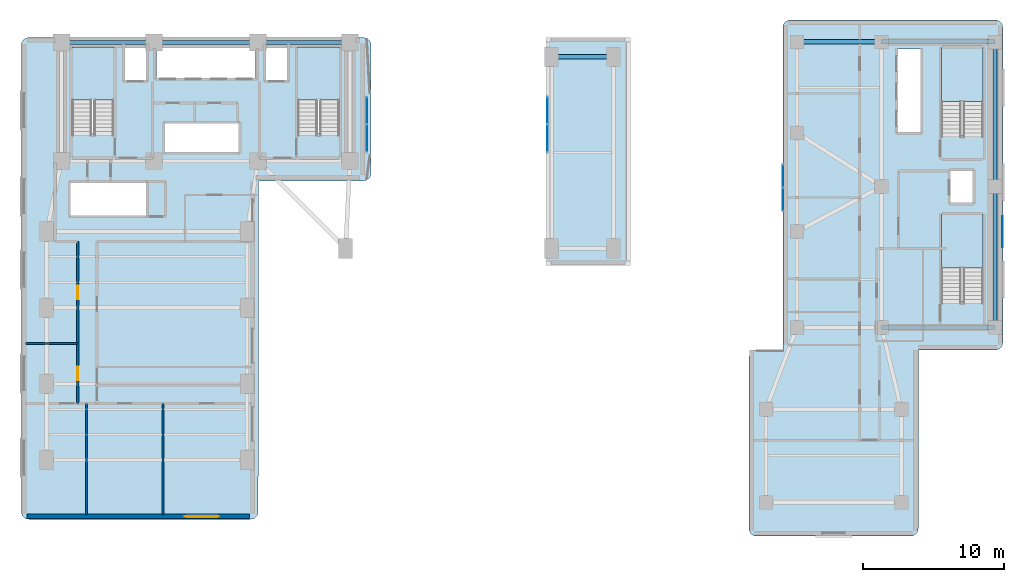
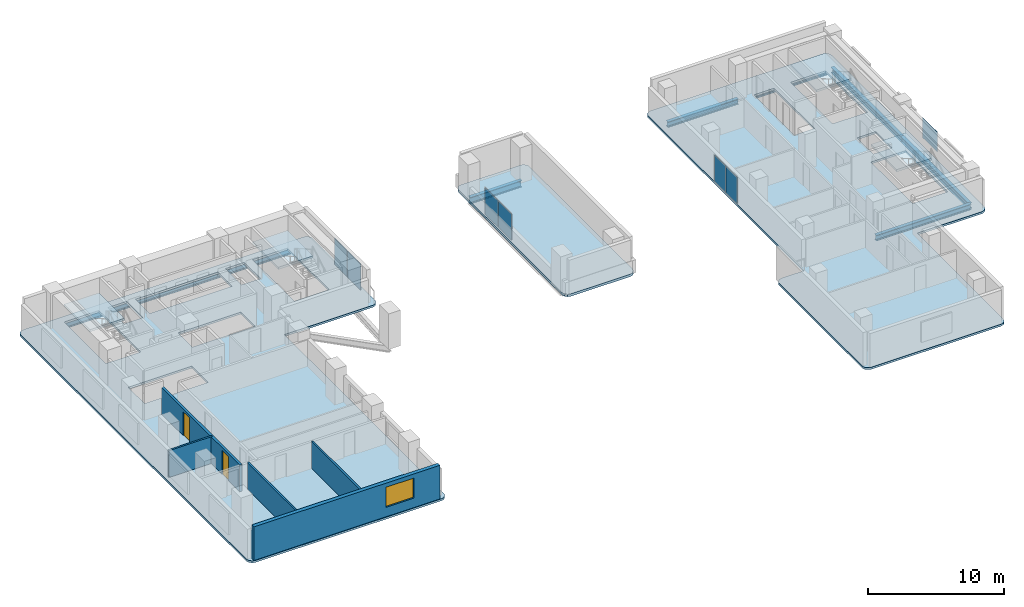
# One storey, part 7 of 14: 9 beams, 7 plates, 7 slabs, 5 walls, 2 doors, 1 window, 3 openings, 7 elements without a shape of their own.
"""IFC4 building model written with IfcOpenShell, lengths in metres."""

import ifcopenshell
import ifcopenshell.guid

model = None  # the IFC model being written
_history = None  # IfcOwnerHistory: only IFC2X3 demands one
_inside = {}  # id of a spatial element -> (the spatial element, [elements in it])
_under = {}  # id of a project, library or spatial element -> (it, [spatial elements below it])
_declared = {}  # id of a project -> (the project, [libraries it declares])
_typed = {}  # id of a type object -> (the type object, [elements of that type])
_made_of = {}  # id of a material, layer set ... -> (it, [elements and type objects made of it])


def new_model(schema):
    """Start an empty IFC model of exactly this schema.

    Asked for "IFC4X3", IfcOpenShell would pick the latest addendum, in which some entities
    have other attributes; the version numbers below select the first issue.
    IFC2X3 requires an IfcOwnerHistory on every rooted entity: one is made here for all.
    """
    global model, _history
    if schema == "IFC4X3":
        model = ifcopenshell.file(schema_version=(4, 3, 0, 0))
    else:
        model = ifcopenshell.file(schema=schema)
    _inside.clear()
    _under.clear()
    _declared.clear()
    _typed.clear()
    _made_of.clear()
    _history = None
    if model.schema == "IFC2X3":
        org = make("IfcOrganization", Name="unknown")
        user = make(
            "IfcPersonAndOrganization",
            ThePerson=make("IfcPerson", FamilyName="unknown"),
            TheOrganization=org,
        )
        app = make(
            "IfcApplication",
            ApplicationDeveloper=org,
            Version="unknown",
            ApplicationFullName="unknown",
            ApplicationIdentifier="unknown",
        )
        _history = make(
            "IfcOwnerHistory",
            OwningUser=user,
            OwningApplication=app,
            ChangeAction="ADDED",
            CreationDate=0,
        )
    return model


def make(cls, **values):
    """One entity of the class cls with the attributes given. An attribute that is None is left unset."""
    return model.create_entity(
        cls, **{name: value for name, value in values.items() if value is not None}
    )


def rooted(cls, **values):
    """An entity with a GlobalId (a new one), such as an element, a storey or a relation."""
    return make(cls, GlobalId=ifcopenshell.guid.new(), OwnerHistory=_history, **values)


def si_unit(unit_type, name, prefix=None):
    """IfcSIUnit, for example si_unit("LENGTHUNIT", "METRE", prefix="MILLI")."""
    return make("IfcSIUnit", UnitType=unit_type, Prefix=prefix, Name=name)


def assignment(units):
    """IfcUnitAssignment: the units of a project."""
    return None if units is None else make("IfcUnitAssignment", Units=units)


def point(xyz):
    """IfcCartesianPoint."""
    return None if xyz is None else make("IfcCartesianPoint", Coordinates=xyz)


def direction(xyz):
    """IfcDirection."""
    return None if xyz is None else make("IfcDirection", DirectionRatios=xyz)


def frame(location, z_axis=None, x_axis=None):
    """IfcAxis2Placement3D, a coordinate frame: its origin and axes. An axis left out is left unset."""
    return make(
        "IfcAxis2Placement3D",
        Location=point(location),
        Axis=direction(z_axis),
        RefDirection=direction(x_axis),
    )


def frame_2d(location, x_axis=None):
    """IfcAxis2Placement2D, a coordinate frame in the plane: its origin and x axis."""
    return make(
        "IfcAxis2Placement2D", Location=point(location), RefDirection=direction(x_axis)
    )


def origin():
    """The frame at (0, 0, 0) with its axes left unset."""
    return frame((0.0, 0.0, 0.0))


def origin_2d():
    """The frame at (0, 0) in the plane with its x axis left unset."""
    return frame_2d((0.0, 0.0))


def place(relative_to, where):
    """IfcLocalPlacement: puts the frame where relative to a parent placement (None: the world)."""
    return make(
        "IfcLocalPlacement", PlacementRelTo=relative_to, RelativePlacement=where
    )


def context(
    kind, dimensions, precision=None, world=None, true_north=None, identifier=None
):
    """IfcGeometricRepresentationContext, for example the 3D "Model" context."""
    return make(
        "IfcGeometricRepresentationContext",
        ContextIdentifier=identifier,
        ContextType=kind,
        CoordinateSpaceDimension=dimensions,
        Precision=precision,
        WorldCoordinateSystem=world,
        TrueNorth=true_north,
    )


def subcontext(parent, identifier, kind, view, scale=None):
    """IfcGeometricRepresentationSubContext, for example "Body" below "Model"."""
    return make(
        "IfcGeometricRepresentationSubContext",
        ContextIdentifier=identifier,
        ContextType=kind,
        ParentContext=parent,
        TargetScale=scale,
        TargetView=view,
    )


def project(units=None, contexts=None):
    """IfcProject with its units and contexts."""
    return rooted(
        "IfcProject",
        Name="project",
        RepresentationContexts=contexts,
        UnitsInContext=assignment(units),
    )


def spatial(cls, under=None, at=None, **own):
    """A site, building, storey or space (cls), placed at a placement, below another one or the project."""
    s = rooted(cls, ObjectPlacement=at, **own)
    if under is not None:
        _under.setdefault(under.id(), (under, []))[1].append(s)
    return s


def polyline(points):
    """IfcPolyline through the points."""
    return make("IfcPolyline", Points=[point(p) for p in points])


def profile(cls, at=None, kind="AREA", **sizes):
    """A parametric profile (cls). Its sizes go by their IFC names, for example OverallWidth=200.0."""
    return make(cls, ProfileType=kind, Position=at, **sizes)


def rectangle(**sizes):
    """IfcRectangleProfileDef."""
    return profile("IfcRectangleProfileDef", **sizes)


def i_section(**sizes):
    """IfcIShapeProfileDef."""
    return profile("IfcIShapeProfileDef", **sizes)


def outline(outer, holes=None, kind="AREA"):
    """IfcArbitraryClosedProfileDef: a profile drawn as a closed curve; with holes, ...WithVoids."""
    if holes is None:
        return make("IfcArbitraryClosedProfileDef", ProfileType=kind, OuterCurve=outer)
    return make(
        "IfcArbitraryProfileDefWithVoids",
        ProfileType=kind,
        OuterCurve=outer,
        InnerCurves=holes,
    )


def extrude(swept, where, along, depth):
    """IfcExtrudedAreaSolid: the profile swept, set in the frame where, extruded along a direction by depth."""
    return make(
        "IfcExtrudedAreaSolid",
        SweptArea=swept,
        Position=where,
        ExtrudedDirection=direction(along),
        Depth=depth,
    )


def shape(context_of_items, identifier, shape_type, items):
    """IfcShapeRepresentation: the items that make up one representation, for example the "Body"."""
    return make(
        "IfcShapeRepresentation",
        ContextOfItems=context_of_items,
        RepresentationIdentifier=identifier,
        RepresentationType=shape_type,
        Items=items,
    )


def material(Name=None, Category=None):
    """IfcMaterial."""
    return make("IfcMaterial", Name=Name, Category=Category)


def layer(
    of_material, thickness, ventilated=None, Name=None, Category=None, Priority=None
):
    """IfcMaterialLayer: one layer of a wall or slab, of a material (None: an air gap)."""
    return make(
        "IfcMaterialLayer",
        Material=of_material,
        LayerThickness=thickness,
        IsVentilated=ventilated,
        Name=Name,
        Category=Category,
        Priority=Priority,
    )


def layer_set(layers, Name=None):
    """IfcMaterialLayerSet."""
    return make("IfcMaterialLayerSet", MaterialLayers=layers, LayerSetName=Name)


def material_profile(
    of_material, cross_section, Name=None, Category=None, Priority=None
):
    """IfcMaterialProfile: a cross section and its material."""
    return make(
        "IfcMaterialProfile",
        Name=Name,
        Material=of_material,
        Profile=cross_section,
        Priority=Priority,
        Category=Category,
    )


def profile_set(profiles, Name=None, composite=None):
    """IfcMaterialProfileSet."""
    return make(
        "IfcMaterialProfileSet",
        Name=Name,
        MaterialProfiles=profiles,
        CompositeProfile=composite,
    )


def made_of(thing, what):
    """Note that an element or type object is made of a material, layer set ...; save() writes the relation."""
    if what is not None:
        _made_of.setdefault(what.id(), (what, []))[1].append(thing)
    return thing


def type_object(cls, material=None, **own):
    """A type object (cls), such as IfcWallType, which elements share."""
    return made_of(rooted(cls, **own), material)


def element(
    cls,
    number,
    at=None,
    inside=None,
    cuts=None,
    type_object=None,
    material=None,
    context=None,
    identifier="Body",
    shape_type=None,
    held_by="IfcProductDefinitionShape",
    body=None,
    shapes=None,
    **own,
):
    """One element of the class cls, such as IfcWall. Its Tag is "e" and its number.

    at: its placement. inside: the storey or other place that contains it. cuts: it is an
    opening in that element (IfcRelVoidsElement). A single representation is given by context,
    identifier, shape_type and body (its items); several are given by shapes. held_by: the class
    of the entity that holds the representations. save() writes the other relations.
    """
    e = rooted(cls, Tag="e%d" % number, ObjectPlacement=at, **own)
    if body is not None:
        shapes = [shape(context, identifier, shape_type, body)]
    if shapes is not None:
        e.Representation = make(held_by, Representations=shapes)
    if inside is not None:
        _inside.setdefault(inside.id(), (inside, []))[1].append(e)
    if cuts is not None:
        rooted(
            "IfcRelVoidsElement", RelatingBuildingElement=cuts, RelatedOpeningElement=e
        )
    if type_object is not None:
        _typed.setdefault(type_object.id(), (type_object, []))[1].append(e)
    return made_of(e, material)


def fill(opening, filler):
    """IfcRelFillsElement: the door or window that sits in an opening."""
    return rooted(
        "IfcRelFillsElement",
        RelatingOpeningElement=opening,
        RelatedBuildingElement=filler,
    )


def aggregate(whole, parts):
    """IfcRelAggregates: a whole, such as a stair, and the parts it consists of."""
    return rooted("IfcRelAggregates", RelatingObject=whole, RelatedObjects=parts)


def save(model, path):
    """Write the relations noted so far, then the file.

    IfcRelAggregates (storeys below a building ...), IfcRelContainedInSpatialStructure (elements
    in a storey), IfcRelDefinesByType, IfcRelAssociatesMaterial and IfcRelDeclares: one each for
    every whole, place, type object, material and project.
    """
    for whole, parts in _under.values():
        aggregate(whole, parts)
    for where, things in _inside.values():
        rooted(
            "IfcRelContainedInSpatialStructure",
            RelatedElements=things,
            RelatingStructure=where,
        )
    for kind, things in _typed.values():
        rooted("IfcRelDefinesByType", RelatedObjects=things, RelatingType=kind)
    for what, things in _made_of.values():
        rooted("IfcRelAssociatesMaterial", RelatedObjects=things, RelatingMaterial=what)
    for by, libraries in _declared.values():
        rooted("IfcRelDeclares", RelatingContext=by, RelatedDefinitions=libraries)
    model.write(path)


model = new_model("IFC4")

# Units and contexts
model_context = context("Model", 3, precision=1e-05, world=origin(), true_north=direction((0.0, 1.0)))
body_context = subcontext(model_context, "Body", "Model", "MODEL_VIEW")
ifc_project = project(units=[si_unit("LENGTHUNIT", "METRE"), si_unit("AREAUNIT", "SQUARE_METRE"), si_unit("VOLUMEUNIT", "CUBIC_METRE"), si_unit("PLANEANGLEUNIT", "RADIAN"), si_unit("MASSUNIT", "GRAM", prefix="KILO")], contexts=[model_context])

# Site, building, storey
site_placement = place(None, origin())
site = spatial("IfcSite", under=ifc_project, at=site_placement, CompositionType="ELEMENT")
building_placement = place(site_placement, origin())
building = spatial("IfcBuilding", under=site, at=building_placement, Name="Kuzgunbayir Cultural Tower", CompositionType="ELEMENT")
storey_placement = place(building_placement, frame((0.0, 0.0, 33.39990234375)))
storey = spatial("IfcBuildingStorey", under=building, at=storey_placement, Name="L08", CompositionType="ELEMENT", Elevation=33.39990234375)

# Beams
ifc_material_1 = material(Name="Steel S355J2", Category="steel")
ifc_material_profile_1 = material_profile(ifc_material_1, i_section(OverallWidth=0.300048828125, OverallDepth=0.60009765625, WebThickness=0.015380859375, FlangeThickness=0.030029296875, FilletRadius=0.027099609375, at=origin_2d()), Name="HEB 600")
ifc_profile_set_1 = profile_set([ifc_material_profile_1], Name="Steel S355J2")
beam_type_1 = type_object("IfcBeamType", Name="BM-EXT-HEB600", PredefinedType="BEAM", material=ifc_profile_set_1)
beam_1_placement = place(storey_placement, frame((41.199951171875, 41.199951171875, -0.52978515625), z_axis=(1.0, 0.0, 0.0), x_axis=(0.0, 1.0, 0.0)))
element("IfcBeam", 1, at=beam_1_placement, inside=storey, type_object=beam_type_1, Name="L08 Portal Pier North Girder", PredefinedType="BEAM", context=body_context, shape_type="SweptSolid", body=[
    extrude(i_section(OverallWidth=0.300048828125, OverallDepth=0.60009765625, WebThickness=0.015380859375, FlangeThickness=0.030029296875, FilletRadius=0.027099609375, at=origin_2d()), origin(), (0.0, 0.0, 1.0), 4.400146484375),
])
ifc_material_profile_2 = material_profile(ifc_material_1, i_section(OverallWidth=0.300048828125, OverallDepth=0.5, WebThickness=0.014404296875, FlangeThickness=0.028076171875, FilletRadius=0.027099609375, at=origin_2d()), Name="HEB 500")
ifc_profile_set_2 = profile_set([ifc_material_profile_2], Name="Steel S355J2")
beam_type_2 = type_object("IfcBeamType", Name="BM-GIR-HEB500", PredefinedType="BEAM", material=ifc_profile_set_2)
beam_2_placement = place(storey_placement, frame((58.60009765625, 42.25, -0.429931640625), z_axis=(1.0, 0.0, 0.0), x_axis=(0.0, 1.0, 0.0)))
element("IfcBeam", 2, at=beam_2_placement, inside=storey, type_object=beam_type_2, Name="L08 Companion Transverse Girder 4", PredefinedType="BEAM", context=body_context, shape_type="SweptSolid", body=[
    extrude(i_section(OverallWidth=0.300048828125, OverallDepth=0.5, WebThickness=0.014404296875, FlangeThickness=0.028076171875, FilletRadius=0.027099609375, at=origin_2d()), origin(), (0.0, 0.0, 1.0), 6.0),
])
beam_3_placement = place(storey_placement, frame((72.64990234375, 22.0, -0.429931640625), z_axis=(0.0, 1.0, 0.0), x_axis=(-1.0, 0.0, 0.0)))
element("IfcBeam", 3, at=beam_3_placement, inside=storey, type_object=beam_type_2, Name="L08 Companion Core East Girder 1", PredefinedType="BEAM", context=body_context, shape_type="SweptSolid", body=[
    extrude(i_section(OverallWidth=0.300048828125, OverallDepth=0.5, WebThickness=0.014404296875, FlangeThickness=0.028076171875, FilletRadius=0.027099609375, at=origin_2d()), origin(), (0.0, 0.0, 1.0), 10.0),
])
beam_4_placement = place(storey_placement, frame((72.64990234375, 32.0, -0.429931640625), z_axis=(0.0, 1.0, 0.0), x_axis=(-1.0, 0.0, 0.0)))
element("IfcBeam", 4, at=beam_4_placement, inside=storey, type_object=beam_type_2, Name="L08 Companion Core East Girder 2", PredefinedType="BEAM", context=body_context, shape_type="SweptSolid", body=[
    extrude(i_section(OverallWidth=0.300048828125, OverallDepth=0.5, WebThickness=0.014404296875, FlangeThickness=0.028076171875, FilletRadius=0.027099609375, at=origin_2d()), origin(), (0.0, 0.0, 1.0), 10.25),
])
for number, where, z_axis, x_axis, name in (
    (5, (64.60009765625, 22.0, -0.429931640625), (1.0, 0.0, 0.0), (0.0, 1.0, 0.0), "L08 Companion Core South Girder"),
    (6, (64.60009765625, 42.25, -0.429931640625), (1.0, 0.0, 0.0), (0.0, 1.0, 0.0), "L08 Companion Core North Girder"),
):
    element("IfcBeam", number, at=place(storey_placement, frame(where, z_axis=z_axis, x_axis=x_axis)), inside=storey, type_object=beam_type_2, Name=name, PredefinedType="BEAM", context=body_context, shape_type="SweptSolid", body=[
        extrude(i_section(OverallWidth=0.300048828125, OverallDepth=0.5, WebThickness=0.014404296875, FlangeThickness=0.028076171875, FilletRadius=0.027099609375, at=origin_2d()), origin(), (0.0, 0.0, 1.0), 8.0498046875),
    ])
ifc_material_profile_3 = material_profile(ifc_material_1, i_section(OverallWidth=0.300048828125, OverallDepth=0.60009765625, WebThickness=0.015380859375, FlangeThickness=0.030029296875, FilletRadius=0.027099609375, at=origin_2d()), Name="HEB 600")
ifc_profile_set_3 = profile_set([ifc_material_profile_3], Name="Steel S355J2")
beam_type_3 = type_object("IfcBeamType", Name="BM-GIR-HEB600", PredefinedType="BEAM", material=ifc_profile_set_3)
beam_5_placement = place(storey_placement, frame((6.449951171875, 42.199951171875, -0.47998046875), z_axis=(1.0, 0.0, 0.0), x_axis=(0.0, 1.0, 0.0)))
element("IfcBeam", 7, at=beam_5_placement, inside=storey, type_object=beam_type_3, Name="L08 Core North Girder 1", PredefinedType="BEAM", context=body_context, shape_type="SweptSolid", body=[
    extrude(i_section(OverallWidth=0.300048828125, OverallDepth=0.60009765625, WebThickness=0.015380859375, FlangeThickness=0.030029296875, FilletRadius=0.027099609375, at=origin_2d()), origin(), (0.0, 0.0, 1.0), 6.550048828125),
])
beam_6_placement = place(storey_placement, frame((13.0, 42.199951171875, -0.47998046875), z_axis=(1.0, 0.0, 0.0), x_axis=(0.0, 1.0, 0.0)))
element("IfcBeam", 8, at=beam_6_placement, inside=storey, type_object=beam_type_3, Name="L08 Core North Girder 2", PredefinedType="BEAM", context=body_context, shape_type="SweptSolid", body=[
    extrude(i_section(OverallWidth=0.300048828125, OverallDepth=0.60009765625, WebThickness=0.015380859375, FlangeThickness=0.030029296875, FilletRadius=0.027099609375, at=origin_2d()), origin(), (0.0, 0.0, 1.0), 7.39990234375),
])
beam_7_placement = place(storey_placement, frame((20.39990234375, 42.199951171875, -0.47998046875), z_axis=(1.0, 0.0, 0.0), x_axis=(0.0, 1.0, 0.0)))
element("IfcBeam", 9, at=beam_7_placement, inside=storey, type_object=beam_type_3, Name="L08 Core North Girder 3", PredefinedType="BEAM", context=body_context, shape_type="SweptSolid", body=[
    extrude(i_section(OverallWidth=0.300048828125, OverallDepth=0.60009765625, WebThickness=0.015380859375, FlangeThickness=0.030029296875, FilletRadius=0.027099609375, at=origin_2d()), origin(), (0.0, 0.0, 1.0), 6.5),
])

# Curtain wall, plates
ifc_material_2 = material(Name="Anodised Aluminium Framing", Category="aluminium")
curtain_wall_type_1 = type_object("IfcCurtainWallType", Name="CW02-PORTAL-SOFFIT", PredefinedType="NOTDEFINED", material=ifc_material_2)
curtain_wall_1_placement = place(storey_placement, origin())
curtain_wall_1 = element("IfcCurtainWall", 10, at=curtain_wall_1_placement, inside=storey, type_object=curtain_wall_type_1, Name="L08 Void-Portal West Jamb Curtain Wall", PredefinedType="NOTDEFINED")
ifc_material_3 = material(Name="Solar-Control Triple Glazing", Category="glass")
ifc_layer_1 = layer(ifc_material_3, 0.035888671875)
ifc_layer_set_1 = layer_set([ifc_layer_1], Name="Solar-Control Triple Glazing")
plate_type_1 = type_object("IfcPlateType", Name="PLT-CW-GLASS-36", PredefinedType="CURTAIN_PANEL", material=ifc_layer_set_1)
plate_1_placement = place(storey_placement, frame((28.10009765625, 35.4150390625, 0.06005859375), z_axis=(0.0, 0.0, 1.0), x_axis=(0.0, 1.0, 0.0)))
plate_1 = element("IfcPlate", 11, at=plate_1_placement, type_object=plate_type_1, Name="CW02 panel 1.1", PredefinedType="CURTAIN_PANEL", context=body_context, shape_type="SweptSolid", body=[
    extrude(rectangle(XDim=1.909912109375, YDim=0.035888671875, at=origin_2d()), origin(), (0.0, 0.0, 1.0), 2.35009765625),
])
plate_2_placement = place(storey_placement, frame((28.10009765625, 37.385009765625, 0.06005859375), z_axis=(0.0, 0.0, 1.0), x_axis=(0.0, 1.0, 0.0)))
plate_2 = element("IfcPlate", 12, at=plate_2_placement, type_object=plate_type_1, Name="CW02 panel 2.1", PredefinedType="CURTAIN_PANEL", context=body_context, shape_type="SweptSolid", body=[
    extrude(rectangle(XDim=1.909912109375, YDim=0.035888671875, at=origin_2d()), origin(), (0.0, 0.0, 1.0), 2.35009765625),
])
aggregate(curtain_wall_1, [plate_1, plate_2])

curtain_wall_2_placement = place(storey_placement, origin())
curtain_wall_2 = element("IfcCurtainWall", 13, at=curtain_wall_2_placement, inside=storey, type_object=curtain_wall_type_1, Name="L08 Void-Portal East Jamb Curtain Wall", PredefinedType="NOTDEFINED")
plate_3_placement = place(storey_placement, frame((40.89990234375, 35.4150390625, 0.06005859375), z_axis=(0.0, 0.0, 1.0), x_axis=(0.0, 1.0, 0.0)))
plate_3 = element("IfcPlate", 14, at=plate_3_placement, type_object=plate_type_1, Name="CW02 panel 1.1", PredefinedType="CURTAIN_PANEL", context=body_context, shape_type="SweptSolid", body=[
    extrude(rectangle(XDim=1.909912109375, YDim=0.035888671875, at=origin_2d()), origin(), (0.0, 0.0, 1.0), 2.35009765625),
])
plate_4_placement = place(storey_placement, frame((40.89990234375, 37.385009765625, 0.06005859375), z_axis=(0.0, 0.0, 1.0), x_axis=(0.0, 1.0, 0.0)))
plate_4 = element("IfcPlate", 15, at=plate_4_placement, type_object=plate_type_1, Name="CW02 panel 2.1", PredefinedType="CURTAIN_PANEL", context=body_context, shape_type="SweptSolid", body=[
    extrude(rectangle(XDim=1.909912109375, YDim=0.035888671875, at=origin_2d()), origin(), (0.0, 0.0, 1.0), 2.35009765625),
])
aggregate(curtain_wall_2, [plate_3, plate_4])

curtain_wall_type_2 = type_object("IfcCurtainWallType", Name="CW04-T2-CULTURAL", PredefinedType="NOTDEFINED", material=ifc_material_2)
curtain_wall_3_placement = place(storey_placement, origin())
curtain_wall_3 = element("IfcCurtainWall", 16, at=curtain_wall_3_placement, inside=storey, type_object=curtain_wall_type_2, Name="L08 Companion Cultural Curtain Wall", PredefinedType="NOTDEFINED")
plate_5_placement = place(storey_placement, frame((57.6201171875, 31.06494140625, 0.06005859375), z_axis=(0.0, 0.0, 1.0), x_axis=(0.0, 1.0, 0.0)))
plate_5 = element("IfcPlate", 17, at=plate_5_placement, type_object=plate_type_1, Name="CW04 panel 1.1", PredefinedType="CURTAIN_PANEL", context=body_context, shape_type="SweptSolid", body=[
    extrude(rectangle(XDim=1.610107421875, YDim=0.035888671875, at=origin_2d()), origin(), (0.0, 0.0, 1.0), 2.35009765625),
])
plate_6_placement = place(storey_placement, frame((57.6201171875, 32.735107421875, 0.06005859375), z_axis=(0.0, 0.0, 1.0), x_axis=(0.0, 1.0, 0.0)))
plate_6 = element("IfcPlate", 18, at=plate_6_placement, type_object=plate_type_1, Name="CW04 panel 2.1", PredefinedType="CURTAIN_PANEL", context=body_context, shape_type="SweptSolid", body=[
    extrude(rectangle(XDim=1.610107421875, YDim=0.035888671875, at=origin_2d()), origin(), (0.0, 0.0, 1.0), 2.35009765625),
])
aggregate(curtain_wall_3, [plate_5, plate_6])

# Plate
ifc_material_4 = material(Name="Perforated Bronze-Anodised Aluminium", Category="aluminium")
ifc_layer_2 = layer(ifc_material_4, 0.02392578125)
ifc_layer_set_2 = layer_set([ifc_layer_2], Name="Perforated Bronze-Anodised Aluminium")
plate_type_2 = type_object("IfcPlateType", Name="PLT-SOLAR-SCREEN-14", PredefinedType="SHEET", material=ifc_layer_set_2)
plate_7_placement = place(storey_placement, frame((73.169921875, 28.800048828125, 0.75), z_axis=(0.0, 0.0, 1.0), x_axis=(1.0, 0.0, 0.0)))
element("IfcPlate", 19, at=plate_7_placement, inside=storey, type_object=plate_type_2, Name="L08 Companion Perforated Ceramic Solar Screen Panel", PredefinedType="SHEET", context=body_context, shape_type="SweptSolid", body=[
    extrude(rectangle(XDim=0.02392578125, YDim=2.199951171875, at=origin_2d()), origin(), (0.0, 0.0, 1.0), 1.800048828125),
])

# Stair, slab
ifc_material_5 = material(Name="Concrete C40/50", Category="concrete")
stair_type = type_object("IfcStairType", Name="STR-EXIT-CORE", PredefinedType="HALF_TURN_STAIR", material=ifc_material_5)
stair_1_placement = place(storey_placement, origin())
stair_1 = element("IfcStair", 20, at=stair_1_placement, inside=storey, type_object=stair_type, Name="L08 ST-1", PredefinedType="HALF_TURN_STAIR")
ifc_layer_3 = layer(ifc_material_5, 0.179931640625)
ifc_layer_set_3 = layer_set([ifc_layer_3], Name="Concrete C40/50")
slab_type_1 = type_object("IfcSlabType", Name="SLB-LANDING-180", PredefinedType="LANDING", material=ifc_layer_set_3)
slab_1_placement = place(storey_placement, frame((0.0, 0.0, 1.400146484375)))
slab_1 = element("IfcSlab", 21, at=slab_1_placement, type_object=slab_type_1, Name="ST-1 landing 1", PredefinedType="LANDING", context=body_context, shape_type="SweptSolid", body=[
    extrude(outline(polyline([(10.159912109375, 38.1201171875), (10.159912109375, 41.89990234375), (7.199951171875, 41.89990234375), (7.199951171875, 38.1201171875), (10.159912109375, 38.1201171875)])), origin(), (0.0, 0.0, 1.0), 0.199951171875),
])
aggregate(stair_1, [slab_1])

stair_2_placement = place(storey_placement, origin())
stair_2 = element("IfcStair", 22, at=stair_2_placement, inside=storey, type_object=stair_type, Name="L08 ST-2", PredefinedType="HALF_TURN_STAIR")
slab_2_placement = place(storey_placement, frame((0.0, 0.0, 1.400146484375)))
slab_2 = element("IfcSlab", 23, at=slab_2_placement, type_object=slab_type_1, Name="ST-2 landing 1", PredefinedType="LANDING", context=body_context, shape_type="SweptSolid", body=[
    extrude(outline(polyline([(26.159912109375, 38.1201171875), (26.159912109375, 41.89990234375), (23.199951171875, 41.89990234375), (23.199951171875, 38.1201171875), (26.159912109375, 38.1201171875)])), origin(), (0.0, 0.0, 1.0), 0.199951171875),
])
aggregate(stair_2, [slab_2])

stair_3_placement = place(storey_placement, origin())
stair_3 = element("IfcStair", 24, at=stair_3_placement, inside=storey, type_object=stair_type, Name="L08 ST-3", PredefinedType="HALF_TURN_STAIR")
slab_3_placement = place(storey_placement, frame((0.0, 0.0, 1.400146484375)))
slab_3 = element("IfcSlab", 25, at=slab_3_placement, type_object=slab_type_1, Name="ST-3 landing 1", PredefinedType="LANDING", context=body_context, shape_type="SweptSolid", body=[
    extrude(outline(polyline([(71.800048828125, 26.219970703125), (71.800048828125, 30.0), (68.840087890625, 30.0), (68.840087890625, 26.219970703125), (71.800048828125, 26.219970703125)])), origin(), (0.0, 0.0, 1.0), 0.199951171875),
])
aggregate(stair_3, [slab_3])

stair_4_placement = place(storey_placement, origin())
stair_4 = element("IfcStair", 26, at=stair_4_placement, inside=storey, type_object=stair_type, Name="L08 ST-4", PredefinedType="HALF_TURN_STAIR")
slab_4_placement = place(storey_placement, frame((0.0, 0.0, 1.400146484375)))
slab_4 = element("IfcSlab", 27, at=slab_4_placement, type_object=slab_type_1, Name="ST-4 landing 1", PredefinedType="LANDING", context=body_context, shape_type="SweptSolid", body=[
    extrude(outline(polyline([(71.800048828125, 38.02001953125), (71.800048828125, 41.800048828125), (68.840087890625, 41.800048828125), (68.840087890625, 38.02001953125), (71.800048828125, 38.02001953125)])), origin(), (0.0, 0.0, 1.0), 0.199951171875),
])
aggregate(stair_4, [slab_4])

# Slabs
ifc_layer_4 = layer(ifc_material_5, 0.219970703125)
ifc_layer_set_4 = layer_set([ifc_layer_4], Name="Concrete C40/50")
slab_type_2 = type_object("IfcSlabType", Name="SLB-ROOF-COMP-220", PredefinedType="ROOF", material=ifc_layer_set_4)
slab_5_placement = place(storey_placement, frame((0.0, 0.0, -0.219970703125)))
element("IfcSlab", 28, at=slab_5_placement, inside=storey, type_object=slab_type_2, Name="L08 Tower 1 Portal Structural Cap T1-PIER", PredefinedType="ROOF", context=body_context, shape_type="SweptSolid", body=[
    extrude(outline(polyline([(46.300048828125, 26.39990234375), (46.39990234375, 26.409912109375), (46.489990234375, 26.43994140625), (46.580078125, 26.47998046875), (46.64990234375, 26.550048828125), (46.719970703125, 26.6201171875), (46.760009765625, 26.7099609375), (46.7900390625, 26.800048828125), (46.800048828125, 26.89990234375), (46.800048828125, 42.050048828125), (46.7900390625, 42.14990234375), (46.760009765625, 42.239990234375), (46.719970703125, 42.330078125), (46.64990234375, 42.39990234375), (46.580078125, 42.469970703125), (46.489990234375, 42.510009765625), (46.39990234375, 42.5400390625), (46.300048828125, 42.550048828125), (41.300048828125, 42.550048828125), (41.199951171875, 42.5400390625), (41.110107421875, 42.510009765625), (41.02001953125, 42.469970703125), (40.949951171875, 42.39990234375), (40.8798828125, 42.330078125), (40.840087890625, 42.239990234375), (40.81005859375, 42.14990234375), (40.800048828125, 42.050048828125), (40.800048828125, 26.89990234375), (40.81005859375, 26.800048828125), (40.840087890625, 26.7099609375), (40.8798828125, 26.6201171875), (40.949951171875, 26.550048828125), (41.02001953125, 26.47998046875), (41.110107421875, 26.43994140625), (41.199951171875, 26.409912109375), (41.300048828125, 26.39990234375), (46.300048828125, 26.39990234375)])), origin(), (0.0, 0.0, 1.0), 0.219970703125),
])
ifc_layer_5 = layer(ifc_material_5, 0.179931640625)
ifc_layer_set_5 = layer_set([ifc_layer_5], Name="Concrete C40/50")
slab_type_3 = type_object("IfcSlabType", Name="SLB-TYP-180", PredefinedType="FLOOR", material=ifc_layer_set_5)
slab_6_placement = place(storey_placement, frame((0.0, 0.0, -0.179931640625)))
element("IfcSlab", 29, at=slab_6_placement, inside=storey, type_object=slab_type_3, Name="L08 Tower 1 Floor Slab T1-WEST", PredefinedType="FLOOR", context=body_context, shape_type="SweptSolid", body=[
    extrude(outline(polyline([(20.39990234375, 8.949951171875), (20.389892578125, 8.840087890625), (20.360107421875, 8.739990234375), (20.31005859375, 8.639892578125), (20.239990234375, 8.56005859375), (20.159912109375, 8.489990234375), (20.06005859375, 8.43994140625), (19.9599609375, 8.409912109375), (19.85009765625, 8.39990234375), (4.14990234375, 8.39990234375), (4.0400390625, 8.409912109375), (3.93994140625, 8.43994140625), (3.840087890625, 8.489990234375), (3.760009765625, 8.56005859375), (3.68994140625, 8.639892578125), (3.639892578125, 8.739990234375), (3.610107421875, 8.840087890625), (3.60009765625, 8.949951171875), (3.60009765625, 42.0), (3.610107421875, 42.110107421875), (3.639892578125, 42.2099609375), (3.68994140625, 42.31005859375), (3.760009765625, 42.389892578125), (3.840087890625, 42.4599609375), (3.93994140625, 42.510009765625), (4.0400390625, 42.5400390625), (4.14990234375, 42.550048828125), (27.85009765625, 42.550048828125), (27.9599609375, 42.5400390625), (28.06005859375, 42.510009765625), (28.159912109375, 42.4599609375), (28.239990234375, 42.389892578125), (28.31005859375, 42.31005859375), (28.360107421875, 42.2099609375), (28.389892578125, 42.110107421875), (28.39990234375, 42.0), (28.39990234375, 32.949951171875), (28.389892578125, 32.840087890625), (28.360107421875, 32.739990234375), (28.31005859375, 32.639892578125), (28.239990234375, 32.56005859375), (28.159912109375, 32.489990234375), (28.06005859375, 32.43994140625), (27.9599609375, 32.409912109375), (27.85009765625, 32.39990234375), (20.429931640625, 32.39990234375), (20.39990234375, 8.949951171875)]), holes=[polyline([(7.199951171875, 35.760009765625), (7.199951171875, 41.89990234375), (10.159912109375, 41.89990234375), (10.159912109375, 35.760009765625), (7.199951171875, 35.760009765625)]), polyline([(23.199951171875, 35.760009765625), (23.199951171875, 41.89990234375), (26.159912109375, 41.89990234375), (26.159912109375, 35.760009765625), (23.199951171875, 35.760009765625)]), polyline([(13.199951171875, 39.699951171875), (13.199951171875, 41.800048828125), (20.199951171875, 41.800048828125), (20.199951171875, 39.699951171875), (13.199951171875, 39.699951171875)]), polyline([(13.75, 34.39990234375), (13.75, 36.5), (19.080078125, 36.5), (19.080078125, 34.39990234375), (13.75, 34.39990234375)]), polyline([(7.10009765625, 29.89990234375), (7.10009765625, 32.300048828125), (12.5, 32.300048828125), (12.5, 29.89990234375), (7.10009765625, 29.89990234375)]), polyline([(10.89990234375, 39.5), (10.89990234375, 41.89990234375), (12.5, 41.89990234375), (12.5, 39.5), (10.89990234375, 39.5)]), polyline([(20.89990234375, 39.5), (20.89990234375, 41.89990234375), (22.5, 41.89990234375), (22.5, 39.5), (20.89990234375, 39.5)])]), origin(), (0.0, 0.0, 1.0), 0.179931640625),
])
slab_7_placement = place(storey_placement, frame((0.0, 0.0, -0.179931640625)))
element("IfcSlab", 30, at=slab_7_placement, inside=storey, type_object=slab_type_3, Name="L08 Companion Tower 2 Floor Slab", PredefinedType="FLOOR", context=body_context, shape_type="SweptSolid", body=[
    extrude(outline(polyline([(57.60009765625, 20.39990234375), (57.60009765625, 43.25), (57.610107421875, 43.360107421875), (57.639892578125, 43.4599609375), (57.68994140625, 43.56005859375), (57.760009765625, 43.639892578125), (57.840087890625, 43.7099609375), (57.93994140625, 43.760009765625), (58.0400390625, 43.7900390625), (58.14990234375, 43.800048828125), (72.64990234375, 43.800048828125), (72.760009765625, 43.7900390625), (72.860107421875, 43.760009765625), (72.9599609375, 43.7099609375), (73.0400390625, 43.639892578125), (73.110107421875, 43.56005859375), (73.159912109375, 43.4599609375), (73.18994140625, 43.360107421875), (73.199951171875, 43.25), (73.199951171875, 20.949951171875), (73.18994140625, 20.840087890625), (73.159912109375, 20.739990234375), (73.110107421875, 20.639892578125), (73.0400390625, 20.56005859375), (72.9599609375, 20.489990234375), (72.860107421875, 20.43994140625), (72.760009765625, 20.409912109375), (72.64990234375, 20.39990234375), (67.22998046875, 20.39990234375), (67.199951171875, 7.75), (67.18994140625, 7.639892578125), (67.159912109375, 7.5400390625), (67.110107421875, 7.43994140625), (67.0400390625, 7.360107421875), (66.9599609375, 7.2900390625), (66.860107421875, 7.239990234375), (66.760009765625, 7.2099609375), (66.64990234375, 7.199951171875), (55.75, 7.199951171875), (55.639892578125, 7.2099609375), (55.5400390625, 7.239990234375), (55.43994140625, 7.2900390625), (55.360107421875, 7.360107421875), (55.2900390625, 7.43994140625), (55.239990234375, 7.5400390625), (55.2099609375, 7.639892578125), (55.199951171875, 7.75), (55.199951171875, 19.85009765625), (55.2099609375, 19.9599609375), (55.239990234375, 20.06005859375), (55.2900390625, 20.159912109375), (55.360107421875, 20.239990234375), (55.43994140625, 20.31005859375), (55.5400390625, 20.360107421875), (55.639892578125, 20.389892578125), (55.75, 20.39990234375), (57.570068359375, 20.39990234375), (57.60009765625, 20.39990234375)]), holes=[polyline([(68.840087890625, 23.860107421875), (68.840087890625, 30.0), (71.800048828125, 30.0), (71.800048828125, 23.860107421875), (68.840087890625, 23.860107421875)]), polyline([(68.840087890625, 35.659912109375), (68.840087890625, 41.800048828125), (71.800048828125, 41.800048828125), (71.800048828125, 35.659912109375), (68.840087890625, 35.659912109375)]), polyline([(65.699951171875, 35.800048828125), (65.699951171875, 41.75), (67.39990234375, 41.75), (67.39990234375, 35.800048828125), (65.699951171875, 35.800048828125)]), polyline([(69.5, 30.800048828125), (69.5, 33.199951171875), (71.10009765625, 33.199951171875), (71.10009765625, 30.800048828125), (69.5, 30.800048828125)])]), origin(), (0.0, 0.0, 1.0), 0.179931640625),
])

# Wall, opening, window
ifc_material_6 = material(Name="Travertine Buff Ashlar", Category="masonry")
ifc_layer_6 = layer(ifc_material_6, 0.320068359375)
ifc_layer_set_6 = layer_set([ifc_layer_6], Name="Travertine Buff Ashlar")
wall_type_1 = type_object("IfcWallType", Name="WAL-EXT-STONE-320", PredefinedType="STANDARD", material=ifc_layer_set_6)
wall_1_placement = place(storey_placement, frame((4.0, 8.60009765625, 0.0), z_axis=(0.0, 0.0, 1.0), x_axis=(1.0, 0.0, 0.0)))
wall_1 = element("IfcWall", 31, at=wall_1_placement, inside=storey, type_object=wall_type_1, Name="L08 Wing A South Limestone Wall", PredefinedType="STANDARD", context=body_context, shape_type="SweptSolid", body=[
    extrude(rectangle(XDim=15.800048828125, YDim=0.320068359375, at=frame_2d((7.89990234375, 0.0))), origin(), (0.0, 0.0, 1.0), 3.02001953125),
])
opening_1_placement = place(wall_1_placement, frame((11.199951171875, 0.0, 0.85009765625)))
opening_1 = element("IfcOpeningElement", 32, at=opening_1_placement, cuts=wall_1, Name="Opening WO-24", PredefinedType="OPENING", context=body_context, shape_type="SweptSolid", body=[
    extrude(rectangle(XDim=2.39990234375, YDim=1.800048828125, at=frame_2d((1.199951171875, 0.89990234375))), frame((0.0, 0.169921875, 0.0), z_axis=(0.0, -1.0, 0.0), x_axis=(1.0, 0.0, 0.0)), (0.0, 0.0, 1.0), 0.340087890625),
])
window_type = type_object("IfcWindowType", Name="WIN-OFFICE-24", PartitioningType="SINGLE_PANEL", PredefinedType="WINDOW", material=ifc_material_3)
window_placement = place(opening_1_placement, origin())
window = element("IfcWindow", 33, at=window_placement, inside=storey, type_object=window_type, Name="L08 WAS Facade Window 9", OverallHeight=1.800048828125, OverallWidth=2.39990234375, PartitioningType="SINGLE_PANEL", PredefinedType="WINDOW", context=body_context, shape_type="SweptSolid", body=[
    extrude(rectangle(XDim=2.39990234375, YDim=1.800048828125, at=frame_2d((1.199951171875, 0.89990234375))), frame((0.0, 0.030029296875, 0.0), z_axis=(0.0, -1.0, 0.0), x_axis=(1.0, 0.0, 0.0)), (0.0, 0.0, 1.0), 0.06005859375),
])
fill(opening_1, window)

# Walls
ifc_material_7 = material(Name="Acoustic Double-Stud Drywall", Category="gypsum")
ifc_layer_7 = layer(ifc_material_7, 0.14990234375)
ifc_layer_set_7 = layer_set([ifc_layer_7], Name="Acoustic Double-Stud Drywall")
wall_type_2 = type_object("IfcWallType", Name="WAL-PART-ACOUSTIC-150", PredefinedType="PARTITIONING", material=ifc_layer_set_7)
wall_2_placement = place(storey_placement, frame((3.89990234375, 20.860107421875, 0.0), z_axis=(0.0, 0.0, 1.0), x_axis=(1.0, 0.0, 0.0)))
element("IfcWall", 34, at=wall_2_placement, inside=storey, type_object=wall_type_2, Name="L08 West Suite Partition 1", PredefinedType="PARTITIONING", context=body_context, shape_type="SweptSolid", body=[
    extrude(rectangle(XDim=3.7001953125, YDim=0.14990234375, at=frame_2d((1.85009765625, 0.0))), origin(), (0.0, 0.0, 1.0), 2.400146484375),
])
for number, where, z_axis, x_axis, name in (
    (35, (8.219970703125, 8.699951171875, 0.0), (0.0, 0.0, 1.0), (0.0, 1.0, 0.0), "L08 South Suite Divider 1"),
    (36, (13.659912109375, 8.699951171875, 0.0), (0.0, 0.0, 1.0), (0.0, 1.0, 0.0), "L08 South Suite Divider 2"),
):
    element("IfcWall", number, at=place(storey_placement, frame(where, z_axis=z_axis, x_axis=x_axis)), inside=storey, type_object=wall_type_2, Name=name, PredefinedType="PARTITIONING", context=body_context, shape_type="SweptSolid", body=[
        extrude(rectangle(XDim=7.900146484375, YDim=0.14990234375, at=frame_2d((3.9501953125, 0.0))), origin(), (0.0, 0.0, 1.0), 2.400146484375),
    ])

# Wall, openings, doors
ifc_material_8 = material(Name="Aerated Concrete Blockwork", Category="masonry")
ifc_layer_8 = layer(ifc_material_8, 0.199951171875)
ifc_layer_set_8 = layer_set([ifc_layer_8], Name="Aerated Concrete Blockwork")
wall_type_3 = type_object("IfcWallType", Name="WAL-PART-FIRE-200", PredefinedType="PARTITIONING", material=ifc_layer_set_8)
wall_3_placement = place(storey_placement, frame((7.60009765625, 16.60009765625, 0.0), z_axis=(0.0, 0.0, 1.0), x_axis=(0.0, 1.0, 0.0)))
wall_3 = element("IfcWall", 37, at=wall_3_placement, inside=storey, type_object=wall_type_3, Name="L08 Wing A West Corridor Wall", PredefinedType="PARTITIONING", context=body_context, shape_type="SweptSolid", body=[
    extrude(rectangle(XDim=11.5, YDim=0.199951171875, at=frame_2d((5.75, 0.0))), origin(), (0.0, 0.0, 1.0), 2.400146484375),
])
opening_2_placement = place(wall_3_placement, frame((1.64990234375, 0.0, 0.0)))
opening_2 = element("IfcOpeningElement", 38, at=opening_2_placement, cuts=wall_3, Name="Opening DI-90", PredefinedType="OPENING", context=body_context, shape_type="SweptSolid", body=[
    extrude(rectangle(XDim=0.949951171875, YDim=2.14990234375, at=frame_2d((0.47509765625, 1.074951171875))), frame((0.0, 0.10986328125, 0.0), z_axis=(0.0, -1.0, 0.0), x_axis=(1.0, 0.0, 0.0)), (0.0, 0.0, 1.0), 0.219970703125),
])
opening_3_placement = place(wall_3_placement, frame((7.39990234375, 0.0, 0.0)))
opening_3 = element("IfcOpeningElement", 39, at=opening_3_placement, cuts=wall_3, Name="Opening DI-90", PredefinedType="OPENING", context=body_context, shape_type="SweptSolid", body=[
    extrude(rectangle(XDim=0.949951171875, YDim=2.14990234375, at=frame_2d((0.47509765625, 1.074951171875))), frame((0.0, 0.10986328125, 0.0), z_axis=(0.0, -1.0, 0.0), x_axis=(1.0, 0.0, 0.0)), (0.0, 0.0, 1.0), 0.219970703125),
])
ifc_material_9 = material(Name="Veneered Oak Single Leaf", Category="wood")
door_type = type_object("IfcDoorType", Name="DR-INT-90", OperationType="NOTDEFINED", PredefinedType="DOOR", material=ifc_material_9)
door_1_placement = place(opening_2_placement, origin())
door_1 = element("IfcDoor", 40, at=door_1_placement, inside=storey, type_object=door_type, Name="L08 Wellness Consultation Studio W1 Door", OperationType="SINGLE_SWING_LEFT", OverallHeight=2.14990234375, OverallWidth=0.949951171875, PredefinedType="DOOR", context=body_context, shape_type="SweptSolid", body=[
    extrude(rectangle(XDim=0.949951171875, YDim=2.14990234375, at=frame_2d((0.47509765625, 1.074951171875))), frame((0.0, 0.02490234375, 0.0), z_axis=(0.0, -1.0, 0.0), x_axis=(1.0, 0.0, 0.0)), (0.0, 0.0, 1.0), 0.050048828125),
])
fill(opening_2, door_1)
door_2_placement = place(opening_3_placement, origin())
door_2 = element("IfcDoor", 41, at=door_2_placement, inside=storey, type_object=door_type, Name="L08 Culinary Tasting Pantry W2 Door", OperationType="SINGLE_SWING_RIGHT", OverallHeight=2.14990234375, OverallWidth=0.949951171875, PredefinedType="DOOR", context=body_context, shape_type="SweptSolid", body=[
    extrude(rectangle(XDim=0.949951171875, YDim=2.14990234375, at=frame_2d((0.47509765625, 1.074951171875))), frame((0.0, 0.02490234375, 0.0), z_axis=(0.0, -1.0, 0.0), x_axis=(1.0, 0.0, 0.0)), (0.0, 0.0, 1.0), 0.050048828125),
])
fill(opening_3, door_2)

save(model, "model.ifc")
